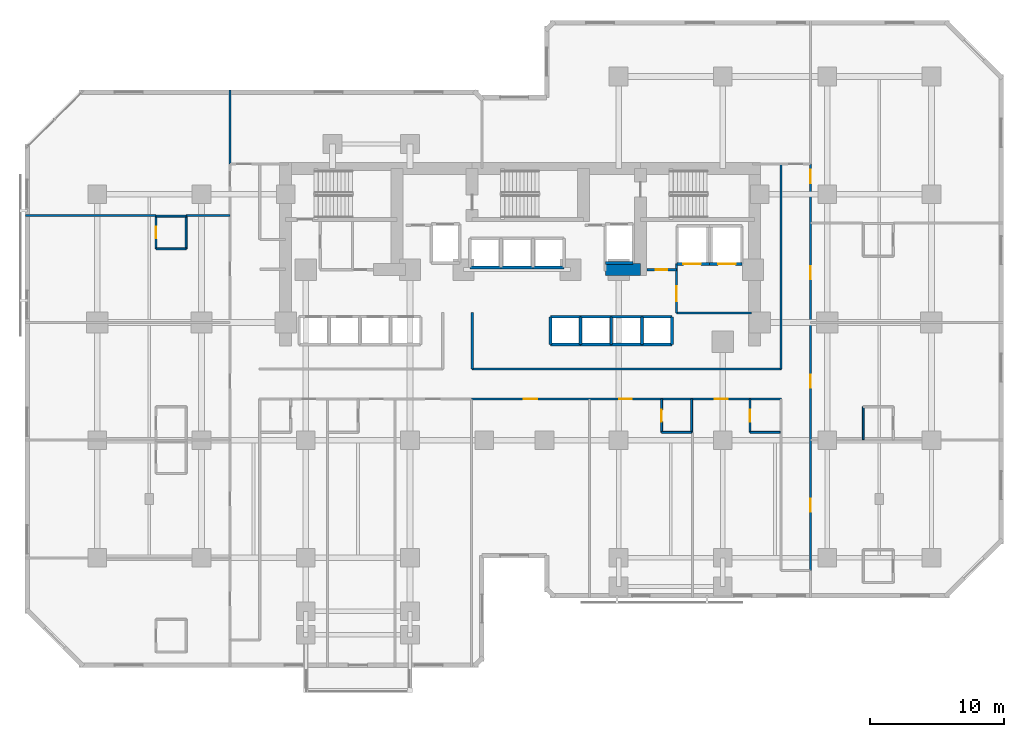
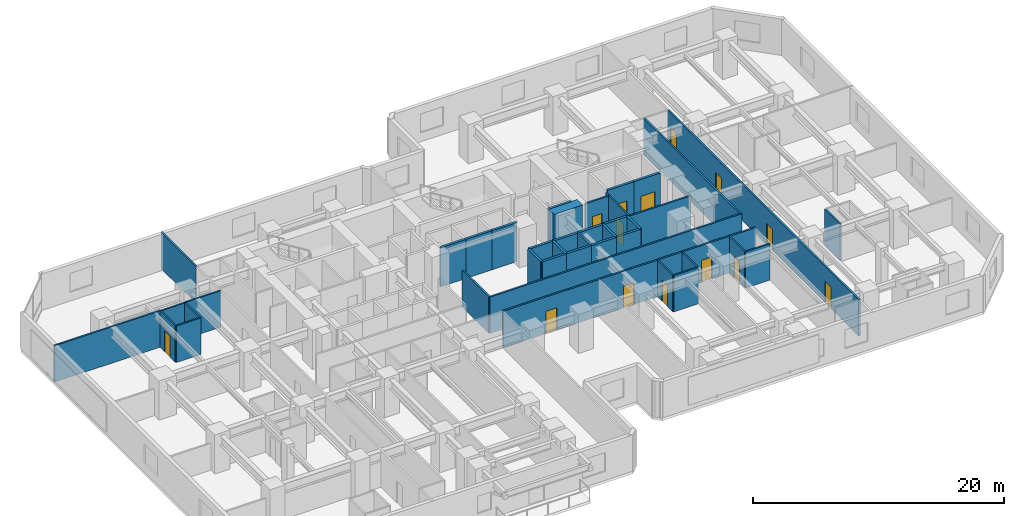
# One storey, part 7 of 12: 41 walls, 14 doors, 14 openings.
"""IFC4 building model written with IfcOpenShell, lengths in metres."""

from ifc_helpers import new_model, si_unit, direction, frame, frame_2d, origin, place, context, subcontext, project, spatial, rectangle, extrude, material, layer, layer_set, type_object, element, fill, save


model = new_model("IFC4")

# Units and contexts
model_context = context("Model", 3, precision=1e-05, world=origin(), true_north=direction((0.0, 1.0)))
body_context = subcontext(model_context, "Body", "Model", "MODEL_VIEW")
ifc_project = project(units=[si_unit("LENGTHUNIT", "METRE"), si_unit("AREAUNIT", "SQUARE_METRE"), si_unit("VOLUMEUNIT", "CUBIC_METRE"), si_unit("PLANEANGLEUNIT", "RADIAN"), si_unit("MASSUNIT", "GRAM", prefix="KILO")], contexts=[model_context])

# Site, building, storey
site_placement = place(None, origin())
site = spatial("IfcSite", under=ifc_project, at=site_placement, CompositionType="ELEMENT")
building_placement = place(site_placement, origin())
building = spatial("IfcBuilding", under=site, at=building_placement, Name="Kestravale Grand Hotel", CompositionType="ELEMENT")
storey_placement = place(building_placement, frame((0.0, 0.0, 64.0)))
storey = spatial("IfcBuildingStorey", under=building, at=storey_placement, Name="L15", CompositionType="ELEMENT", Elevation=64.0)

# Wall
ifc_material_1 = material(Name="Concrete f'c 70 MPa", Category="concrete")
ifc_layer_1 = layer(ifc_material_1, 0.89990234375)
ifc_layer_set_1 = layer_set([ifc_layer_1], Name="EW-CORE-900")
wall_type_1 = type_object("IfcWallType", Name="EW-CORE-900", PredefinedType="SHEAR", material=ifc_layer_set_1)
wall_1_placement = place(storey_placement, frame((45.81005859375, 32.75, 0.0), z_axis=(0.0, 0.0, 1.0), x_axis=(1.0, 0.0, 0.0)))
element("IfcWall", 1, at=wall_1_placement, inside=storey, type_object=wall_type_1, Name="L15 core shear wall S2", PredefinedType="SHEAR", context=body_context, shape_type="SweptSolid", body=[
    extrude(rectangle(XDim=2.639892578125, YDim=0.89990234375, at=frame_2d((1.31982421875, 0.0))), origin(), (0.0, 0.0, 1.0), 3.800048828125),
])

# Wall, opening, door
ifc_material_2 = material(Name="Acoustic fire-rated gypsum board partition", Category="other")
ifc_layer_2 = layer(ifc_material_2, 0.159912109375)
ifc_layer_set_2 = layer_set([ifc_layer_2], Name="IW-CORR-160")
wall_type_2 = type_object("IfcWallType", Name="IW-CORR-160", PredefinedType="PARTITIONING", material=ifc_layer_set_2)
wall_2_placement = place(storey_placement, frame((51.1201171875, 29.5, 0.0), z_axis=(0.0, 0.0, 1.0), x_axis=(0.0, 1.0, 0.0)))
wall_2 = element("IfcWall", 2, at=wall_2_placement, inside=storey, type_object=wall_type_2, Name="W-L15-SVCLOB-W", PredefinedType="PARTITIONING", context=body_context, shape_type="SweptSolid", body=[
    extrude(rectangle(XDim=3.699951171875, YDim=0.159912109375, at=frame_2d((1.85009765625, 0.0))), origin(), (0.0, 0.0, 1.0), 3.5400390625),
])
opening_1_placement = place(wall_2_placement, frame((0.89990234375, 0.0, 0.0)))
opening_1 = element("IfcOpeningElement", 3, at=opening_1_placement, cuts=wall_2, Name="Opening D-CORR-1100", PredefinedType="OPENING", context=body_context, shape_type="SweptSolid", body=[
    extrude(rectangle(XDim=1.10009765625, YDim=2.14990234375, at=frame_2d((0.550048828125, 1.074951171875))), frame((0.0, 0.08984375, 0.0), z_axis=(0.0, -1.0, 0.0), x_axis=(1.0, 0.0, 0.0)), (0.0, 0.0, 1.0), 0.179931640625),
])
ifc_material_3 = material(Name="Single-leaf service vestibule fire door", Category="steel")
door_type_1 = type_object("IfcDoorType", Name="D-CORR-1100", OperationType="NOTDEFINED", PredefinedType="DOOR", material=ifc_material_3)
door_1_placement = place(opening_1_placement, origin())
door_1 = element("IfcDoor", 4, at=door_1_placement, inside=storey, type_object=door_type_1, Name="L15 service lift lobby door", OperationType="SINGLE_SWING_LEFT", OverallHeight=2.14990234375, OverallWidth=1.10009765625, PredefinedType="DOOR", context=body_context, shape_type="SweptSolid", body=[
    extrude(rectangle(XDim=1.10009765625, YDim=2.14990234375, at=frame_2d((0.550048828125, 1.074951171875))), frame((0.0, 0.02490234375, 0.0), z_axis=(0.0, -1.0, 0.0), x_axis=(1.0, 0.0, 0.0)), (0.0, 0.0, 1.0), 0.050048828125),
])
fill(opening_1, door_1)

# Wall
wall_3_placement = place(storey_placement, frame((51.1201171875, 29.5, 0.0), z_axis=(0.0, 0.0, 1.0), x_axis=(1.0, 0.0, 0.0)))
element("IfcWall", 5, at=wall_3_placement, inside=storey, type_object=wall_type_2, Name="L15 service lift lobby wall", PredefinedType="PARTITIONING", context=body_context, shape_type="SweptSolid", body=[
    extrude(rectangle(XDim=5.6298828125, YDim=0.159912109375, at=frame_2d((2.81494140625, 0.0))), origin(), (0.0, 0.0, 1.0), 3.5400390625),
])

# Wall, opening, door
wall_4_placement = place(storey_placement, frame((48.919921875, 32.75, 0.0), z_axis=(0.0, 0.0, 1.0), x_axis=(1.0, 0.0, 0.0)))
wall_4 = element("IfcWall", 6, at=wall_4_placement, inside=storey, type_object=wall_type_2, Name="W-L15-CES", PredefinedType="PARTITIONING", context=body_context, shape_type="SweptSolid", body=[
    extrude(rectangle(XDim=2.2001953125, YDim=0.159912109375, at=frame_2d((1.10009765625, 0.0))), origin(), (0.0, 0.0, 1.0), 3.5400390625),
])
opening_2_placement = place(wall_4_placement, frame((0.64990234375, 0.0, 0.0)))
opening_2 = element("IfcOpeningElement", 7, at=opening_2_placement, cuts=wall_4, Name="Opening D-SH-860", PredefinedType="OPENING", context=body_context, shape_type="SweptSolid", body=[
    extrude(rectangle(XDim=0.860107421875, YDim=2.050048828125, at=frame_2d((0.43017578125, 1.02490234375))), frame((0.0, 0.08984375, 0.0), z_axis=(0.0, -1.0, 0.0), x_axis=(1.0, 0.0, 0.0)), (0.0, 0.0, 1.0), 0.179931640625),
])
ifc_material_4 = material(Name="Galvanised 90-minute riser fire door", Category="steel")
door_type_2 = type_object("IfcDoorType", Name="D-SH-860", OperationType="NOTDEFINED", PredefinedType="DOOR", material=ifc_material_4)
door_2_placement = place(opening_2_placement, origin())
door_2 = element("IfcDoor", 8, at=door_2_placement, inside=storey, type_object=door_type_2, Name="L15 CSTO1 door", OperationType="SINGLE_SWING_RIGHT", OverallHeight=2.050048828125, OverallWidth=0.860107421875, PredefinedType="DOOR", context=body_context, shape_type="SweptSolid", body=[
    extrude(rectangle(XDim=0.860107421875, YDim=2.050048828125, at=frame_2d((0.43017578125, 1.02490234375))), frame((0.0, 0.02490234375, 0.0), z_axis=(0.0, -1.0, 0.0), x_axis=(1.0, 0.0, 0.0)), (0.0, 0.0, 1.0), 0.050048828125),
])
fill(opening_2, door_2)

# Walls
wall_5_placement = place(storey_placement, frame((35.85009765625, 25.31005859375, 0.0), z_axis=(0.0, 0.0, 1.0), x_axis=(1.0, 0.0, 0.0)))
element("IfcWall", 9, at=wall_5_placement, inside=storey, type_object=wall_type_2, Name="W-L15-CE-N", PredefinedType="PARTITIONING", context=body_context, shape_type="SweptSolid", body=[
    extrude(rectangle(XDim=23.14990234375, YDim=0.159912109375, at=frame_2d((11.574951171875, 0.0))), origin(), (0.0, 0.0, 1.0), 3.5400390625),
])
wall_6_placement = place(storey_placement, frame((35.85009765625, 25.31005859375, 0.0), z_axis=(0.0, 0.0, 1.0), x_axis=(0.0, 1.0, 0.0)))
element("IfcWall", 10, at=wall_6_placement, inside=storey, type_object=wall_type_2, Name="W-L15-TRUNK-E", PredefinedType="PARTITIONING", context=body_context, shape_type="SweptSolid", body=[
    extrude(rectangle(XDim=4.239990234375, YDim=0.159912109375, at=frame_2d((2.1201171875, 0.0))), origin(), (0.0, 0.0, 1.0), 3.5400390625),
])

# Wall, openings, doors
wall_7_placement = place(storey_placement, frame((35.800048828125, 23.090087890625, 0.0), z_axis=(0.0, 0.0, 1.0), x_axis=(1.0, 0.0, 0.0)))
wall_7 = element("IfcWall", 11, at=wall_7_placement, inside=storey, type_object=wall_type_2, Name="W-L15-CE-S", PredefinedType="PARTITIONING", context=body_context, shape_type="SweptSolid", body=[
    extrude(rectangle(XDim=23.199951171875, YDim=0.159912109375, at=frame_2d((11.60009765625, 0.0))), origin(), (0.0, 0.0, 1.0), 3.5400390625),
])
opening_3_placement = place(wall_7_placement, frame((3.90673828125, 0.0, 0.0)))
opening_3 = element("IfcOpeningElement", 12, at=opening_3_placement, cuts=wall_7, Name="Opening D-GUEST-1000", PredefinedType="OPENING", context=body_context, shape_type="SweptSolid", body=[
    extrude(rectangle(XDim=1.0, YDim=2.14990234375, at=frame_2d((0.5, 1.074951171875))), frame((0.0, 0.08984375, 0.0), z_axis=(0.0, -1.0, 0.0), x_axis=(1.0, 0.0, 0.0)), (0.0, 0.0, 1.0), 0.179931640625),
])
opening_4_placement = place(wall_7_placement, frame((11.0400390625, 0.0, 0.0)))
opening_4 = element("IfcOpeningElement", 13, at=opening_4_placement, cuts=wall_7, Name="Opening D-GUEST-950", PredefinedType="OPENING", context=body_context, shape_type="SweptSolid", body=[
    extrude(rectangle(XDim=0.949951171875, YDim=2.10009765625, at=frame_2d((0.47509765625, 1.050048828125))), frame((0.0, 0.08984375, 0.0), z_axis=(0.0, -1.0, 0.0), x_axis=(1.0, 0.0, 0.0)), (0.0, 0.0, 1.0), 0.179931640625),
])
opening_5_placement = place(wall_7_placement, frame((18.203369140625, 0.0, 0.0)))
opening_5 = element("IfcOpeningElement", 14, at=opening_5_placement, cuts=wall_7, Name="Opening D-GUEST-950", PredefinedType="OPENING", context=body_context, shape_type="SweptSolid", body=[
    extrude(rectangle(XDim=0.949951171875, YDim=2.10009765625, at=frame_2d((0.47509765625, 1.050048828125))), frame((0.0, 0.08984375, 0.0), z_axis=(0.0, -1.0, 0.0), x_axis=(1.0, 0.0, 0.0)), (0.0, 0.0, 1.0), 0.179931640625),
])
ifc_material_5 = material(Name="Accessible walnut veneer hotel entrance fire door", Category="wood")
door_type_3 = type_object("IfcDoorType", Name="D-GUEST-1000", OperationType="NOTDEFINED", PredefinedType="DOOR", material=ifc_material_5)
door_3_placement = place(opening_3_placement, origin())
door_3 = element("IfcDoor", 15, at=door_3_placement, inside=storey, type_object=door_type_3, Name="D-L15-AME", OperationType="SINGLE_SWING_RIGHT", OverallHeight=2.14990234375, OverallWidth=1.0, PredefinedType="DOOR", context=body_context, shape_type="SweptSolid", body=[
    extrude(rectangle(XDim=1.0, YDim=2.14990234375, at=frame_2d((0.5, 1.074951171875))), frame((0.0, 0.02490234375, 0.0), z_axis=(0.0, -1.0, 0.0), x_axis=(1.0, 0.0, 0.0)), (0.0, 0.0, 1.0), 0.050048828125),
])
fill(opening_3, door_3)
ifc_material_6 = material(Name="Walnut veneer hotel guestroom entrance fire door", Category="wood")
door_type_4 = type_object("IfcDoorType", Name="D-GUEST-950", OperationType="NOTDEFINED", PredefinedType="DOOR", material=ifc_material_6)
door_4_placement = place(opening_4_placement, origin())
door_4 = element("IfcDoor", 16, at=door_4_placement, inside=storey, type_object=door_type_4, Name="D-L15-U03-ENT", OperationType="SINGLE_SWING_RIGHT", OverallHeight=2.10009765625, OverallWidth=0.949951171875, PredefinedType="DOOR", context=body_context, shape_type="SweptSolid", body=[
    extrude(rectangle(XDim=0.949951171875, YDim=2.10009765625, at=frame_2d((0.47509765625, 1.050048828125))), frame((0.0, 0.02490234375, 0.0), z_axis=(0.0, -1.0, 0.0), x_axis=(1.0, 0.0, 0.0)), (0.0, 0.0, 1.0), 0.050048828125),
])
fill(opening_4, door_4)
door_5_placement = place(opening_5_placement, origin())
door_5 = element("IfcDoor", 17, at=door_5_placement, inside=storey, type_object=door_type_4, Name="D-L15-U04-ENT", OperationType="SINGLE_SWING_RIGHT", OverallHeight=2.10009765625, OverallWidth=0.949951171875, PredefinedType="DOOR", context=body_context, shape_type="SweptSolid", body=[
    extrude(rectangle(XDim=0.949951171875, YDim=2.10009765625, at=frame_2d((0.47509765625, 1.050048828125))), frame((0.0, 0.02490234375, 0.0), z_axis=(0.0, -1.0, 0.0), x_axis=(1.0, 0.0, 0.0)), (0.0, 0.0, 1.0), 0.050048828125),
])
fill(opening_5, door_5)

wall_8_placement = place(storey_placement, frame((61.159912109375, 10.25, 0.0), z_axis=(0.0, 0.0, 1.0), x_axis=(0.0, 1.0, 0.0)))
wall_8 = element("IfcWall", 18, at=wall_8_placement, inside=storey, type_object=wall_type_2, Name="W-L15-SE-E", PredefinedType="PARTITIONING", context=body_context, shape_type="SweptSolid", body=[
    extrude(rectangle(XDim=30.39990234375, YDim=0.159912109375, at=frame_2d((15.199951171875, 0.0))), origin(), (0.0, 0.0, 1.0), 3.5400390625),
])
opening_6_placement = place(wall_8_placement, frame((4.39990234375, 0.0, 0.0)))
opening_6 = element("IfcOpeningElement", 19, at=opening_6_placement, cuts=wall_8, Name="Opening D-GUEST-950", PredefinedType="OPENING", context=body_context, shape_type="SweptSolid", body=[
    extrude(rectangle(XDim=0.949951171875, YDim=2.10009765625, at=frame_2d((0.47509765625, 1.050048828125))), frame((0.0, 0.08984375, 0.0), z_axis=(0.0, -1.0, 0.0), x_axis=(1.0, 0.0, 0.0)), (0.0, 0.0, 1.0), 0.179931640625),
])
opening_7_placement = place(wall_8_placement, frame((13.675048828125, 0.0, 0.0)))
opening_7 = element("IfcOpeningElement", 20, at=opening_7_placement, cuts=wall_8, Name="Opening D-GUEST-950", PredefinedType="OPENING", context=body_context, shape_type="SweptSolid", body=[
    extrude(rectangle(XDim=0.949951171875, YDim=2.10009765625, at=frame_2d((0.47509765625, 1.050048828125))), frame((0.0, 0.08984375, 0.0), z_axis=(0.0, -1.0, 0.0), x_axis=(1.0, 0.0, 0.0)), (0.0, 0.0, 1.0), 0.179931640625),
])
opening_8_placement = place(wall_8_placement, frame((21.800048828125, 0.0, 0.0)))
opening_8 = element("IfcOpeningElement", 21, at=opening_8_placement, cuts=wall_8, Name="Opening D-GUEST-950", PredefinedType="OPENING", context=body_context, shape_type="SweptSolid", body=[
    extrude(rectangle(XDim=0.949951171875, YDim=2.10009765625, at=frame_2d((0.47509765625, 1.050048828125))), frame((0.0, 0.08984375, 0.0), z_axis=(0.0, -1.0, 0.0), x_axis=(1.0, 0.0, 0.0)), (0.0, 0.0, 1.0), 0.179931640625),
])
opening_9_placement = place(wall_8_placement, frame((28.9599609375, 0.0, 0.0)))
opening_9 = element("IfcOpeningElement", 22, at=opening_9_placement, cuts=wall_8, Name="Opening D-GUEST-1000", PredefinedType="OPENING", context=body_context, shape_type="SweptSolid", body=[
    extrude(rectangle(XDim=1.0, YDim=2.14990234375, at=frame_2d((0.5, 1.074951171875))), frame((0.0, 0.08984375, 0.0), z_axis=(0.0, -1.0, 0.0), x_axis=(1.0, 0.0, 0.0)), (0.0, 0.0, 1.0), 0.179931640625),
])
door_6_placement = place(opening_9_placement, origin())
door_6 = element("IfcDoor", 23, at=door_6_placement, inside=storey, type_object=door_type_3, Name="D-L15-AMEW", OperationType="SINGLE_SWING_RIGHT", OverallHeight=2.14990234375, OverallWidth=1.0, PredefinedType="DOOR", context=body_context, shape_type="SweptSolid", body=[
    extrude(rectangle(XDim=1.0, YDim=2.14990234375, at=frame_2d((0.5, 1.074951171875))), frame((0.0, 0.02490234375, 0.0), z_axis=(0.0, -1.0, 0.0), x_axis=(1.0, 0.0, 0.0)), (0.0, 0.0, 1.0), 0.050048828125),
])
fill(opening_9, door_6)
door_7_placement = place(opening_6_placement, origin())
door_7 = element("IfcDoor", 24, at=door_7_placement, inside=storey, type_object=door_type_4, Name="D-L15-U09-ENT", OperationType="SINGLE_SWING_LEFT", OverallHeight=2.10009765625, OverallWidth=0.949951171875, PredefinedType="DOOR", context=body_context, shape_type="SweptSolid", body=[
    extrude(rectangle(XDim=0.949951171875, YDim=2.10009765625, at=frame_2d((0.47509765625, 1.050048828125))), frame((0.0, 0.02490234375, 0.0), z_axis=(0.0, -1.0, 0.0), x_axis=(1.0, 0.0, 0.0)), (0.0, 0.0, 1.0), 0.050048828125),
])
fill(opening_6, door_7)
door_8_placement = place(opening_7_placement, origin())
door_8 = element("IfcDoor", 25, at=door_8_placement, inside=storey, type_object=door_type_4, Name="D-L15-U10-ENT", OperationType="SINGLE_SWING_LEFT", OverallHeight=2.10009765625, OverallWidth=0.949951171875, PredefinedType="DOOR", context=body_context, shape_type="SweptSolid", body=[
    extrude(rectangle(XDim=0.949951171875, YDim=2.10009765625, at=frame_2d((0.47509765625, 1.050048828125))), frame((0.0, 0.02490234375, 0.0), z_axis=(0.0, -1.0, 0.0), x_axis=(1.0, 0.0, 0.0)), (0.0, 0.0, 1.0), 0.050048828125),
])
fill(opening_7, door_8)
door_9_placement = place(opening_8_placement, origin())
door_9 = element("IfcDoor", 26, at=door_9_placement, inside=storey, type_object=door_type_4, Name="D-L15-U11-ENT", OperationType="SINGLE_SWING_LEFT", OverallHeight=2.10009765625, OverallWidth=0.949951171875, PredefinedType="DOOR", context=body_context, shape_type="SweptSolid", body=[
    extrude(rectangle(XDim=0.949951171875, YDim=2.10009765625, at=frame_2d((0.47509765625, 1.050048828125))), frame((0.0, 0.02490234375, 0.0), z_axis=(0.0, -1.0, 0.0), x_axis=(1.0, 0.0, 0.0)), (0.0, 0.0, 1.0), 0.050048828125),
])
fill(opening_8, door_9)

# Wall
wall_9_placement = place(storey_placement, frame((58.93994140625, 25.31005859375, 0.0), z_axis=(0.0, 0.0, 1.0), x_axis=(0.0, 1.0, 0.0)))
element("IfcWall", 27, at=wall_9_placement, inside=storey, type_object=wall_type_2, Name="W-L15-SE-WU", PredefinedType="PARTITIONING", context=body_context, shape_type="SweptSolid", body=[
    extrude(rectangle(XDim=15.33984375, YDim=0.159912109375, at=frame_2d((7.669921875, 0.0))), origin(), (0.0, 0.0, 1.0), 3.5400390625),
])

# Wall, opening, door
ifc_material_7 = material(Name="Moisture-resistant tile-backer plumbing chase wall", Category="other")
ifc_layer_3 = layer(ifc_material_7, 0.139892578125)
ifc_layer_set_3 = layer_set([ifc_layer_3], Name="IW-PLB-140")
wall_type_3 = type_object("IfcWallType", Name="IW-PLB-140", PredefinedType="PLUMBINGWALL", material=ifc_layer_set_3)
wall_10_placement = place(storey_placement, frame((50.0166015625, 20.580078125, 0.0), z_axis=(0.0, 0.0, 1.0), x_axis=(0.0, 1.0, 0.0)))
wall_10 = element("IfcWall", 28, at=wall_10_placement, inside=storey, type_object=wall_type_3, Name="W-L15-U03-BW", PredefinedType="PLUMBINGWALL", context=body_context, shape_type="SweptSolid", body=[
    extrude(rectangle(XDim=2.489990234375, YDim=0.139892578125, at=frame_2d((1.2451171875, 0.0))), origin(), (0.0, 0.0, 1.0), 3.5400390625),
])
opening_10_placement = place(wall_10_placement, frame((0.804931640625, 0.0, 0.0)))
opening_10 = element("IfcOpeningElement", 29, at=opening_10_placement, cuts=wall_10, Name="Opening D-BATH-880", PredefinedType="OPENING", context=body_context, shape_type="SweptSolid", body=[
    extrude(rectangle(XDim=0.8798828125, YDim=2.050048828125, at=frame_2d((0.43994140625, 1.02490234375))), frame((0.0, 0.079833984375, 0.0), z_axis=(0.0, -1.0, 0.0), x_axis=(1.0, 0.0, 0.0)), (0.0, 0.0, 1.0), 0.159912109375),
])
ifc_material_8 = material(Name="Moisture-sealed walnut en-suite bathroom door", Category="wood")
door_type_5 = type_object("IfcDoorType", Name="D-BATH-880", OperationType="NOTDEFINED", PredefinedType="DOOR", material=ifc_material_8)
door_10_placement = place(opening_10_placement, origin())
door_10 = element("IfcDoor", 30, at=door_10_placement, inside=storey, type_object=door_type_5, Name="D-L15-U03-BATH", OperationType="SINGLE_SWING_LEFT", OverallHeight=2.050048828125, OverallWidth=0.8798828125, PredefinedType="DOOR", context=body_context, shape_type="SweptSolid", body=[
    extrude(rectangle(XDim=0.8798828125, YDim=2.050048828125, at=frame_2d((0.43994140625, 1.02490234375))), frame((0.0, 0.02490234375, 0.0), z_axis=(0.0, -1.0, 0.0), x_axis=(1.0, 0.0, 0.0)), (0.0, 0.0, 1.0), 0.050048828125),
])
fill(opening_10, door_10)

# Walls
wall_11_placement = place(storey_placement, frame((52.2666015625, 20.580078125, 0.0), z_axis=(0.0, 0.0, 1.0), x_axis=(0.0, 1.0, 0.0)))
element("IfcWall", 31, at=wall_11_placement, inside=storey, type_object=wall_type_3, Name="W-L15-U03-BE", PredefinedType="PLUMBINGWALL", context=body_context, shape_type="SweptSolid", body=[
    extrude(rectangle(XDim=2.489990234375, YDim=0.139892578125, at=frame_2d((1.2451171875, 0.0))), origin(), (0.0, 0.0, 1.0), 3.5400390625),
])
wall_12_placement = place(storey_placement, frame((50.0166015625, 20.580078125, 0.0), z_axis=(0.0, 0.0, 1.0), x_axis=(1.0, 0.0, 0.0)))
element("IfcWall", 32, at=wall_12_placement, inside=storey, type_object=wall_type_3, Name="W-L15-U03-BS", PredefinedType="PLUMBINGWALL", context=body_context, shape_type="SweptSolid", body=[
    extrude(rectangle(XDim=2.25, YDim=0.139892578125, at=frame_2d((1.125, 0.0))), origin(), (0.0, 0.0, 1.0), 3.5400390625),
])

# Wall, opening, door
wall_13_placement = place(storey_placement, frame((56.6298828125, 20.580078125, 0.0), z_axis=(0.0, 0.0, 1.0), x_axis=(0.0, 1.0, 0.0)))
wall_13 = element("IfcWall", 33, at=wall_13_placement, inside=storey, type_object=wall_type_3, Name="W-L15-U04-BW", PredefinedType="PLUMBINGWALL", context=body_context, shape_type="SweptSolid", body=[
    extrude(rectangle(XDim=2.489990234375, YDim=0.139892578125, at=frame_2d((1.2451171875, 0.0))), origin(), (0.0, 0.0, 1.0), 3.5400390625),
])
opening_11_placement = place(wall_13_placement, frame((0.804931640625, 0.0, 0.0)))
opening_11 = element("IfcOpeningElement", 34, at=opening_11_placement, cuts=wall_13, Name="Opening D-BATH-880", PredefinedType="OPENING", context=body_context, shape_type="SweptSolid", body=[
    extrude(rectangle(XDim=0.8798828125, YDim=2.050048828125, at=frame_2d((0.43994140625, 1.02490234375))), frame((0.0, 0.079833984375, 0.0), z_axis=(0.0, -1.0, 0.0), x_axis=(1.0, 0.0, 0.0)), (0.0, 0.0, 1.0), 0.159912109375),
])
door_11_placement = place(opening_11_placement, origin())
door_11 = element("IfcDoor", 35, at=door_11_placement, inside=storey, type_object=door_type_5, Name="D-L15-U04-BATH", OperationType="SINGLE_SWING_LEFT", OverallHeight=2.050048828125, OverallWidth=0.8798828125, PredefinedType="DOOR", context=body_context, shape_type="SweptSolid", body=[
    extrude(rectangle(XDim=0.8798828125, YDim=2.050048828125, at=frame_2d((0.43994140625, 1.02490234375))), frame((0.0, 0.02490234375, 0.0), z_axis=(0.0, -1.0, 0.0), x_axis=(1.0, 0.0, 0.0)), (0.0, 0.0, 1.0), 0.050048828125),
])
fill(opening_11, door_11)

# Wall
wall_14_placement = place(storey_placement, frame((56.6298828125, 20.580078125, 0.0), z_axis=(0.0, 0.0, 1.0), x_axis=(1.0, 0.0, 0.0)))
element("IfcWall", 36, at=wall_14_placement, inside=storey, type_object=wall_type_3, Name="W-L15-U04-BS", PredefinedType="PLUMBINGWALL", context=body_context, shape_type="SweptSolid", body=[
    extrude(rectangle(XDim=2.25, YDim=0.139892578125, at=frame_2d((1.125, 0.0))), origin(), (0.0, 0.0, 1.0), 3.5400390625),
])

# Wall, opening, door
wall_15_placement = place(storey_placement, frame((12.199951171875, 34.31005859375, 0.0), z_axis=(0.0, 0.0, 1.0), x_axis=(0.0, 1.0, 0.0)))
wall_15 = element("IfcWall", 37, at=wall_15_placement, inside=storey, type_object=wall_type_3, Name="W-L15-U08-BW", PredefinedType="PLUMBINGWALL", context=body_context, shape_type="SweptSolid", body=[
    extrude(rectangle(XDim=2.449951171875, YDim=0.139892578125, at=frame_2d((1.22509765625, 0.0))), origin(), (0.0, 0.0, 1.0), 3.5400390625),
])
opening_12_placement = place(wall_15_placement, frame((0.784912109375, 0.0, 0.0)))
opening_12 = element("IfcOpeningElement", 38, at=opening_12_placement, cuts=wall_15, Name="Opening D-BATH-880", PredefinedType="OPENING", context=body_context, shape_type="SweptSolid", body=[
    extrude(rectangle(XDim=0.8798828125, YDim=2.050048828125, at=frame_2d((0.43994140625, 1.02490234375))), frame((0.0, 0.079833984375, 0.0), z_axis=(0.0, -1.0, 0.0), x_axis=(1.0, 0.0, 0.0)), (0.0, 0.0, 1.0), 0.159912109375),
])
door_12_placement = place(opening_12_placement, origin())
door_12 = element("IfcDoor", 39, at=door_12_placement, inside=storey, type_object=door_type_5, Name="D-L15-U08-BATH", OperationType="SINGLE_SWING_LEFT", OverallHeight=2.050048828125, OverallWidth=0.8798828125, PredefinedType="DOOR", context=body_context, shape_type="SweptSolid", body=[
    extrude(rectangle(XDim=0.8798828125, YDim=2.050048828125, at=frame_2d((0.43994140625, 1.02490234375))), frame((0.0, 0.02490234375, 0.0), z_axis=(0.0, -1.0, 0.0), x_axis=(1.0, 0.0, 0.0)), (0.0, 0.0, 1.0), 0.050048828125),
])
fill(opening_12, door_12)

# Walls
wall_16_placement = place(storey_placement, frame((14.449951171875, 34.31005859375, 0.0), z_axis=(0.0, 0.0, 1.0), x_axis=(0.0, 1.0, 0.0)))
element("IfcWall", 40, at=wall_16_placement, inside=storey, type_object=wall_type_3, Name="W-L15-U08-BE", PredefinedType="PLUMBINGWALL", context=body_context, shape_type="SweptSolid", body=[
    extrude(rectangle(XDim=2.449951171875, YDim=0.139892578125, at=frame_2d((1.22509765625, 0.0))), origin(), (0.0, 0.0, 1.0), 3.5400390625),
])
for number, where, z_axis, x_axis, name in (
    (41, (12.199951171875, 34.31005859375, 0.0), (0.0, 0.0, 1.0), (1.0, 0.0, 0.0), "W-L15-U08-BS"),
    (42, (12.199951171875, 36.760009765625, 0.0), (0.0, 0.0, 1.0), (1.0, 0.0, 0.0), "W-L15-U08-BN"),
):
    element("IfcWall", number, at=place(storey_placement, frame(where, z_axis=z_axis, x_axis=x_axis)), inside=storey, type_object=wall_type_3, Name=name, PredefinedType="PLUMBINGWALL", context=body_context, shape_type="SweptSolid", body=[
        extrude(rectangle(XDim=2.25, YDim=0.139892578125, at=frame_2d((1.125, 0.0))), origin(), (0.0, 0.0, 1.0), 3.5400390625),
    ])
wall_17_placement = place(storey_placement, frame((65.10009765625, 20.0400390625, 0.0), z_axis=(0.0, 0.0, 1.0), x_axis=(0.0, 1.0, 0.0)))
element("IfcWall", 43, at=wall_17_placement, inside=storey, type_object=wall_type_3, Name="W-L15-U10-BW", PredefinedType="PLUMBINGWALL", context=body_context, shape_type="SweptSolid", body=[
    extrude(rectangle(XDim=2.449951171875, YDim=0.139892578125, at=frame_2d((1.22509765625, 0.0))), origin(), (0.0, 0.0, 1.0), 3.5400390625),
])
ifc_material_9 = material(Name="Concrete f'c 45 MPa", Category="concrete")
ifc_layer_4 = layer(ifc_material_9, 0.199951171875)
ifc_layer_set_4 = layer_set([ifc_layer_4], Name="IW-SHAFT-200")
wall_type_4 = type_object("IfcWallType", Name="IW-SHAFT-200", PredefinedType="SHEAR", material=ifc_layer_set_4)
for number, where, z_axis, x_axis, name in (
    (44, (41.705078125, 27.169921875, 0.0), (0.0, 0.0, 1.0), (0.0, 1.0, 0.0), "L15 PL-M1 west shaft wall"),
    (45, (43.949951171875, 27.169921875, 0.0), (0.0, 0.0, 1.0), (0.0, 1.0, 0.0), "L15 PL-M2 west shaft wall"),
    (46, (46.25, 27.169921875, 0.0), (0.0, 0.0, 1.0), (0.0, 1.0, 0.0), "L15 PL-M3 west shaft wall"),
    (47, (48.550048828125, 27.169921875, 0.0), (0.0, 0.0, 1.0), (0.0, 1.0, 0.0), "L15 PL-M4 west shaft wall"),
    (48, (50.794921875, 27.169921875, 0.0), (0.0, 0.0, 1.0), (0.0, 1.0, 0.0), "L15 PL-M4 east shaft wall"),
):
    element("IfcWall", number, at=place(storey_placement, frame(where, z_axis=z_axis, x_axis=x_axis)), inside=storey, type_object=wall_type_4, Name=name, PredefinedType="SHEAR", context=body_context, shape_type="SweptSolid", body=[
        extrude(rectangle(XDim=2.06005859375, YDim=0.199951171875, at=frame_2d((1.030029296875, 0.0))), origin(), (0.0, 0.0, 1.0), 3.800048828125),
    ])
ifc_material_10 = material(Name="Concrete f'c 45 MPa", Category="concrete")
ifc_layer_5 = layer(ifc_material_10, 0.219970703125)
ifc_layer_set_5 = layer_set([ifc_layer_5], Name="IW-SHAFT-220")
wall_type_5 = type_object("IfcWallType", Name="IW-SHAFT-220", PredefinedType="SHEAR", material=ifc_layer_set_5)
for number, where, z_axis, x_axis, name in (
    (49, (41.705078125, 29.22998046875, 0.0), (0.0, 0.0, 1.0), (1.0, 0.0, 0.0), "L15 PL-M1 north shaft wall"),
    (50, (41.705078125, 27.169921875, 0.0), (0.0, 0.0, 1.0), (1.0, 0.0, 0.0), "L15 PL-M1 south shaft wall"),
):
    element("IfcWall", number, at=place(storey_placement, frame(where, z_axis=z_axis, x_axis=x_axis)), inside=storey, type_object=wall_type_5, Name=name, PredefinedType="SHEAR", context=body_context, shape_type="SweptSolid", body=[
        extrude(rectangle(XDim=2.244873046875, YDim=0.219970703125, at=frame_2d((1.12255859375, 0.0))), origin(), (0.0, 0.0, 1.0), 3.800048828125),
    ])
for number, where, z_axis, x_axis, name in (
    (51, (43.949951171875, 29.22998046875, 0.0), (0.0, 0.0, 1.0), (1.0, 0.0, 0.0), "L15 PL-M2 north shaft wall"),
    (52, (43.949951171875, 27.169921875, 0.0), (0.0, 0.0, 1.0), (1.0, 0.0, 0.0), "L15 PL-M2 south shaft wall"),
    (53, (46.25, 29.22998046875, 0.0), (0.0, 0.0, 1.0), (1.0, 0.0, 0.0), "L15 PL-M3 north shaft wall"),
    (54, (46.25, 27.169921875, 0.0), (0.0, 0.0, 1.0), (1.0, 0.0, 0.0), "L15 PL-M3 south shaft wall"),
):
    element("IfcWall", number, at=place(storey_placement, frame(where, z_axis=z_axis, x_axis=x_axis)), inside=storey, type_object=wall_type_5, Name=name, PredefinedType="SHEAR", context=body_context, shape_type="SweptSolid", body=[
        extrude(rectangle(XDim=2.300048828125, YDim=0.219970703125, at=frame_2d((1.14990234375, 0.0))), origin(), (0.0, 0.0, 1.0), 3.800048828125),
    ])
for number, where, z_axis, x_axis, name in (
    (55, (48.550048828125, 29.22998046875, 0.0), (0.0, 0.0, 1.0), (1.0, 0.0, 0.0), "L15 PL-M4 north shaft wall"),
    (56, (48.550048828125, 27.169921875, 0.0), (0.0, 0.0, 1.0), (1.0, 0.0, 0.0), "L15 PL-M4 south shaft wall"),
):
    element("IfcWall", number, at=place(storey_placement, frame(where, z_axis=z_axis, x_axis=x_axis)), inside=storey, type_object=wall_type_5, Name=name, PredefinedType="SHEAR", context=body_context, shape_type="SweptSolid", body=[
        extrude(rectangle(XDim=2.244873046875, YDim=0.219970703125, at=frame_2d((1.12255859375, 0.0))), origin(), (0.0, 0.0, 1.0), 3.800048828125),
    ])
wall_18_placement = place(storey_placement, frame((35.679931640625, 32.919921875, 0.0), z_axis=(0.0, 0.0, 1.0), x_axis=(1.0, 0.0, 0.0)))
element("IfcWall", 57, at=wall_18_placement, inside=storey, type_object=wall_type_5, Name="L15 PL-X1 south shaft wall", PredefinedType="SHEAR", context=body_context, shape_type="SweptSolid", body=[
    extrude(rectangle(XDim=2.320068359375, YDim=0.219970703125, at=frame_2d((1.16015625, 0.0))), origin(), (0.0, 0.0, 1.0), 3.800048828125),
])
wall_19_placement = place(storey_placement, frame((38.0, 32.919921875, 0.0), z_axis=(0.0, 0.0, 1.0), x_axis=(1.0, 0.0, 0.0)))
element("IfcWall", 58, at=wall_19_placement, inside=storey, type_object=wall_type_5, Name="L15 PL-X2 south shaft wall", PredefinedType="SHEAR", context=body_context, shape_type="SweptSolid", body=[
    extrude(rectangle(XDim=2.39990234375, YDim=0.219970703125, at=frame_2d((1.199951171875, 0.0))), origin(), (0.0, 0.0, 1.0), 3.800048828125),
])
wall_20_placement = place(storey_placement, frame((40.39990234375, 32.919921875, 0.0), z_axis=(0.0, 0.0, 1.0), x_axis=(1.0, 0.0, 0.0)))
element("IfcWall", 59, at=wall_20_placement, inside=storey, type_object=wall_type_5, Name="L15 PL-X3 south shaft wall", PredefinedType="SHEAR", context=body_context, shape_type="SweptSolid", body=[
    extrude(rectangle(XDim=2.320068359375, YDim=0.219970703125, at=frame_2d((1.16015625, 0.0))), origin(), (0.0, 0.0, 1.0), 3.800048828125),
])

# Wall, opening, door
wall_21_placement = place(storey_placement, frame((51.179931640625, 33.169921875, 0.0), z_axis=(0.0, 0.0, 1.0), x_axis=(1.0, 0.0, 0.0)))
wall_21 = element("IfcWall", 60, at=wall_21_placement, inside=storey, type_object=wall_type_5, Name="L15 SL-1 south shaft wall", PredefinedType="SHEAR", context=body_context, shape_type="SweptSolid", body=[
    extrude(rectangle(XDim=2.420166015625, YDim=0.219970703125, at=frame_2d((1.2099609375, 0.0))), origin(), (0.0, 0.0, 1.0), 3.800048828125),
])
opening_13_placement = place(wall_21_placement, frame((0.469970703125, 0.0, 0.0)))
opening_13 = element("IfcOpeningElement", 61, at=opening_13_placement, cuts=wall_21, Name="Opening LD-SVC-1300", PredefinedType="OPENING", context=body_context, shape_type="SweptSolid", body=[
    extrude(rectangle(XDim=1.300048828125, YDim=2.14990234375, at=frame_2d((0.64990234375, 1.074951171875))), frame((0.0, 0.119873046875, 0.0), z_axis=(0.0, -1.0, 0.0), x_axis=(1.0, 0.0, 0.0)), (0.0, 0.0, 1.0), 0.239990234375),
])
ifc_material_11 = material(Name="Heavy-duty service sliding elevator landing door", Category="steel")
door_type_6 = type_object("IfcDoorType", Name="LD-SVC-1300", OperationType="NOTDEFINED", PredefinedType="DOOR", material=ifc_material_11)
door_13_placement = place(opening_13_placement, origin())
door_13 = element("IfcDoor", 62, at=door_13_placement, inside=storey, type_object=door_type_6, Name="L15 SL-1 elevator landing sliding door", OperationType="DOUBLE_DOOR_SLIDING", OverallHeight=2.14990234375, OverallWidth=1.300048828125, PredefinedType="DOOR", context=body_context, shape_type="SweptSolid", body=[
    extrude(rectangle(XDim=1.300048828125, YDim=2.14990234375, at=frame_2d((0.64990234375, 1.074951171875))), frame((0.0, 0.02490234375, 0.0), z_axis=(0.0, -1.0, 0.0), x_axis=(1.0, 0.0, 0.0)), (0.0, 0.0, 1.0), 0.050048828125),
])
fill(opening_13, door_13)

wall_22_placement = place(storey_placement, frame((53.60009765625, 33.169921875, 0.0), z_axis=(0.0, 0.0, 1.0), x_axis=(1.0, 0.0, 0.0)))
wall_22 = element("IfcWall", 63, at=wall_22_placement, inside=storey, type_object=wall_type_5, Name="L15 SL-2 south shaft wall", PredefinedType="SHEAR", context=body_context, shape_type="SweptSolid", body=[
    extrude(rectangle(XDim=2.419921875, YDim=0.219970703125, at=frame_2d((1.2099609375, 0.0))), origin(), (0.0, 0.0, 1.0), 3.800048828125),
])
opening_14_placement = place(wall_22_placement, frame((0.64990234375, 0.0, 0.0)))
opening_14 = element("IfcOpeningElement", 64, at=opening_14_placement, cuts=wall_22, Name="Opening LD-SVC-1300", PredefinedType="OPENING", context=body_context, shape_type="SweptSolid", body=[
    extrude(rectangle(XDim=1.300048828125, YDim=2.14990234375, at=frame_2d((0.64990234375, 1.074951171875))), frame((0.0, 0.119873046875, 0.0), z_axis=(0.0, -1.0, 0.0), x_axis=(1.0, 0.0, 0.0)), (0.0, 0.0, 1.0), 0.239990234375),
])
door_14_placement = place(opening_14_placement, origin())
door_14 = element("IfcDoor", 65, at=door_14_placement, inside=storey, type_object=door_type_6, Name="L15 SL-2 elevator landing sliding door", OperationType="DOUBLE_DOOR_SLIDING", OverallHeight=2.14990234375, OverallWidth=1.300048828125, PredefinedType="DOOR", context=body_context, shape_type="SweptSolid", body=[
    extrude(rectangle(XDim=1.300048828125, YDim=2.14990234375, at=frame_2d((0.64990234375, 1.074951171875))), frame((0.0, 0.02490234375, 0.0), z_axis=(0.0, -1.0, 0.0), x_axis=(1.0, 0.0, 0.0)), (0.0, 0.0, 1.0), 0.050048828125),
])
fill(opening_14, door_14)

# Walls
wall_23_placement = place(storey_placement, frame((45.804931640625, 33.2451171875, 0.0), z_axis=(0.0, 0.0, 1.0), x_axis=(1.0, 0.0, 0.0)))
element("IfcWall", 66, at=wall_23_placement, inside=storey, type_object=wall_type_5, Name="L15 FL-2 south shaft wall", PredefinedType="SHEAR", context=body_context, shape_type="SweptSolid", body=[
    extrude(rectangle(XDim=2.090087890625, YDim=0.219970703125, at=frame_2d((1.044921875, 0.0))), origin(), (0.0, 0.0, 1.0), 3.800048828125),
])
ifc_material_12 = material(Name="Double-stud STC 52 acoustic demising partition", Category="other")
ifc_layer_6 = layer(ifc_material_12, 0.14990234375)
ifc_layer_set_6 = layer_set([ifc_layer_6], Name="IW-UNIT-150")
wall_type_6 = type_object("IfcWallType", Name="IW-UNIT-150", PredefinedType="PARTITIONING", material=ifc_layer_set_6)
wall_24_placement = place(storey_placement, frame((17.739990234375, 40.64990234375, 0.0), z_axis=(0.0, 0.0, 1.0), x_axis=(0.0, 1.0, 0.0)))
element("IfcWall", 67, at=wall_24_placement, inside=storey, type_object=wall_type_6, Name="W-L15-NGW-W", PredefinedType="PARTITIONING", context=body_context, shape_type="SweptSolid", body=[
    extrude(rectangle(XDim=5.530029296875, YDim=0.14990234375, at=frame_2d((2.76513671875, 0.0))), origin(), (0.0, 0.0, 1.0), 3.5400390625),
])
wall_25_placement = place(storey_placement, frame((2.419921875, 36.800048828125, 0.0), z_axis=(0.0, 0.0, 1.0), x_axis=(1.0, 0.0, 0.0)))
element("IfcWall", 68, at=wall_25_placement, inside=storey, type_object=wall_type_6, Name="W-L15-WW-4", PredefinedType="PARTITIONING", context=body_context, shape_type="SweptSolid", body=[
    extrude(rectangle(XDim=9.780029296875, YDim=0.14990234375, at=frame_2d((4.89013671875, 0.0))), origin(), (0.0, 0.0, 1.0), 3.5400390625),
])
wall_26_placement = place(storey_placement, frame((14.449951171875, 36.800048828125, 0.0), z_axis=(0.0, 0.0, 1.0), x_axis=(1.0, 0.0, 0.0)))
element("IfcWall", 69, at=wall_26_placement, inside=storey, type_object=wall_type_6, Name="W-L15-WW-4", PredefinedType="PARTITIONING", context=body_context, shape_type="SweptSolid", body=[
    extrude(rectangle(XDim=3.2900390625, YDim=0.14990234375, at=frame_2d((1.64501953125, 0.0))), origin(), (0.0, 0.0, 1.0), 3.5400390625),
])

save(model, "model.ifc")
